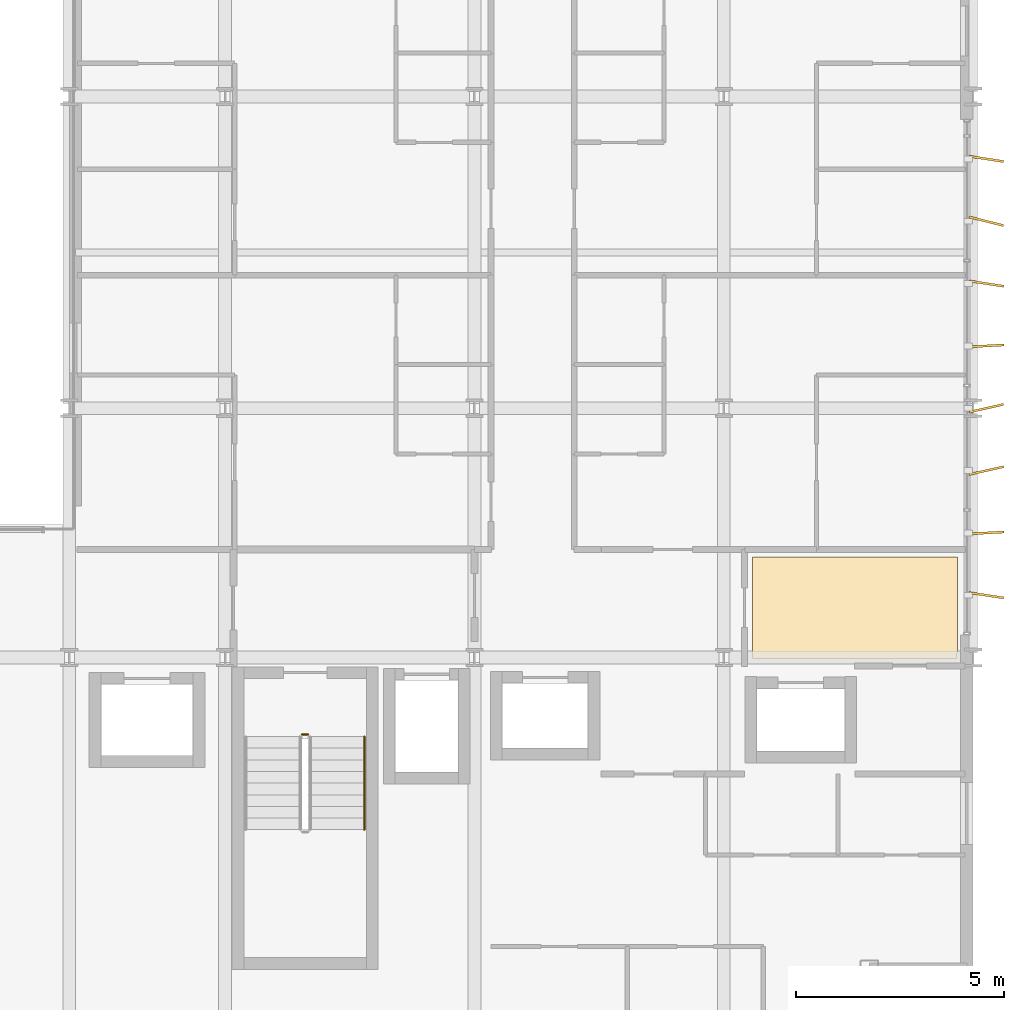
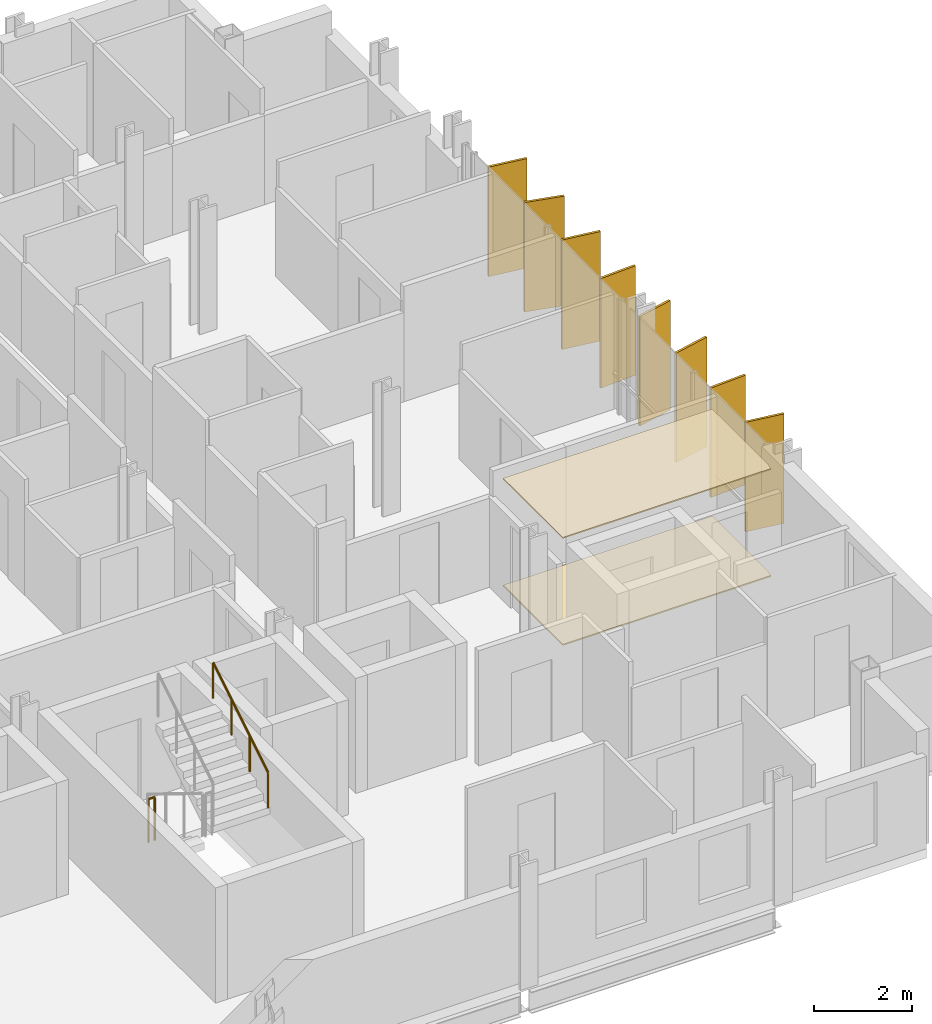
# One storey, part 38 of 39: 8 shading devices, 2 coverings, 2 railings.
"""IFC4 building model written with IfcOpenShell, lengths in metres."""

from ifc_helpers import new_model, si_unit, direction, frame, origin, origin_2d, place, context, subcontext, project, spatial, polyline, rectangle, circle, outline, extrude, material, layer, layer_set, type_object, element, save


model = new_model("IFC4")

# Units and contexts
model_context = context("Model", 3, precision=1e-05, world=origin(), true_north=direction((0.0, 1.0)))
body_context = subcontext(model_context, "Body", "Model", "MODEL_VIEW")
ifc_project = project(units=[si_unit("LENGTHUNIT", "METRE"), si_unit("AREAUNIT", "SQUARE_METRE"), si_unit("VOLUMEUNIT", "CUBIC_METRE"), si_unit("PLANEANGLEUNIT", "RADIAN"), si_unit("MASSUNIT", "GRAM", prefix="KILO")], contexts=[model_context])

# Site, building, storey
site_placement = place(None, origin())
site = spatial("IfcSite", under=ifc_project, at=site_placement, CompositionType="ELEMENT")
building_placement = place(site_placement, origin())
building = spatial("IfcBuilding", under=site, at=building_placement, Name="Brevholm Reach", CompositionType="ELEMENT")
storey_placement = place(building_placement, frame((0.0, 0.0, 83.800048828125)))
storey = spatial("IfcBuildingStorey", under=building, at=storey_placement, Name="L24", CompositionType="ELEMENT", Elevation=83.800048828125)

# Coverings
ifc_material_1 = material(Name="Moisture-Resistant Skimmed Gypsum Plasterboard Ceiling", Category="gypsum")
ifc_layer_1 = layer(ifc_material_1, 0.030029296875)
ifc_layer_set_1 = layer_set([ifc_layer_1], Name="Moisture-Resistant Skimmed Gypsum Plasterboard Ceiling")
covering_type_1 = type_object("IfcCoveringType", Name="COV-CLG-GYP", PredefinedType="CEILING", material=ifc_layer_set_1)
covering_1_placement = place(storey_placement, frame((0.0, 0.0, 2.669921875)))
element("IfcCovering", 1, at=covering_1_placement, inside=storey, type_object=covering_type_1, Name="L24 Suspended Ceiling L24-32", PredefinedType="CEILING", context=body_context, shape_type="SweptSolid", body=[
    extrude(outline(polyline([(59.6201171875, 12.419921875), (59.6201171875, 10.123779296875), (59.6171875, 10.1162109375), (59.607666015625, 10.077880859375), (59.601806640625, 10.039306640625), (59.60009765625, 10.0), (59.60107421875, 9.97998046875), (54.68408203125, 9.97998046875), (54.68408203125, 12.419921875), (59.6201171875, 12.419921875)])), origin(), (0.0, 0.0, 1.0), 0.030029296875),
])
ifc_material_2 = material(Name="Honed Portland-Aggregate Resin Terrazzo Flooring", Category="concrete")
ifc_layer_2 = layer(ifc_material_2, 0.031982421875)
ifc_layer_set_2 = layer_set([ifc_layer_2], Name="Honed Portland-Aggregate Resin Terrazzo Flooring")
covering_type_2 = type_object("IfcCoveringType", Name="COV-FLR-TRZ", PredefinedType="FLOORING", material=ifc_layer_set_2)
covering_2_placement = place(storey_placement, origin())
element("IfcCovering", 2, at=covering_2_placement, inside=storey, type_object=covering_type_2, Name="L24 Floor Finish L24-32", PredefinedType="FLOORING", context=body_context, shape_type="SweptSolid", body=[
    extrude(outline(polyline([(59.6201171875, 12.419921875), (59.6201171875, 10.123779296875), (59.6171875, 10.1162109375), (59.607666015625, 10.077880859375), (59.601806640625, 10.039306640625), (59.60009765625, 10.0), (59.60107421875, 9.97998046875), (54.68408203125, 9.97998046875), (54.68408203125, 12.419921875), (59.6201171875, 12.419921875)])), origin(), (0.0, 0.0, 1.0), 0.031982421875),
])

# Railings
ifc_material_3 = material(Name="Brushed Stainless Steel EN 1.4401 Continuous Handrail", Category="steel")
railing_type_1 = type_object("IfcRailingType", Name="RAL-HND-950", PredefinedType="HANDRAIL", material=ifc_material_3)
railing_1_placement = place(storey_placement, frame((45.35009765625, 5.860107421875, 1.72216796875)))
element("IfcRailing", 3, at=railing_1_placement, inside=storey, type_object=railing_type_1, Name="L24 ST-2 stair handrail 2", PredefinedType="HANDRAIL", context=body_context, shape_type="SweptSolid", body=[
    extrude(circle(Radius=0.02392578125, at=origin_2d()), frame((0.0, 0.0, 0.8857421875), z_axis=(0.0, 0.85178898068, 0.523885037382), x_axis=(-1.0, 0.0, 0.0)), (0.0, 0.0, 1.0), 2.629638671875),
    extrude(circle(Radius=0.02099609375, at=origin_2d()), origin(), (0.0, 0.0, 1.0), 0.86181640625),
    extrude(circle(Radius=0.02099609375, at=origin_2d()), frame((0.0, 0.74658203125, 0.459228515625)), (0.0, 0.0, 1.0), 0.86181640625),
    extrude(circle(Radius=0.02099609375, at=origin_2d()), frame((0.0, 1.493408203125, 0.91845703125)), (0.0, 0.0, 1.0), 0.86181640625),
    extrude(circle(Radius=0.02099609375, at=origin_2d()), frame((0.0, 2.239990234375, 1.377685546875)), (0.0, 0.0, 1.0), 0.86181640625),
])
ifc_material_4 = material(Name="Painted Tubular Galvanised Steel S275JR Stair Guard", Category="steel")
railing_type_2 = type_object("IfcRailingType", Name="RAL-STG-1120", PredefinedType="BALUSTRADE", material=ifc_material_4)
railing_2_placement = place(storey_placement, frame((43.85009765625, 8.14990234375, 0.0)))
element("IfcRailing", 4, at=railing_2_placement, inside=storey, type_object=railing_type_2, Name="L24 ST-2 stair guard 4", PredefinedType="BALUSTRADE", context=body_context, shape_type="SweptSolid", body=[
    extrude(circle(Radius=0.02392578125, at=origin_2d()), frame((0.0, 0.0, 1.076171875), z_axis=(1.0, 0.0, 0.0), x_axis=(0.0, 1.0, 0.0)), (0.0, 0.0, 1.0), 0.14990234375),
    extrude(circle(Radius=0.02099609375, at=origin_2d()), origin(), (0.0, 0.0, 1.0), 1.052001953125),
    extrude(circle(Radius=0.02099609375, at=origin_2d()), frame((0.14990234375, 0.0, 0.0)), (0.0, 0.0, 1.0), 1.052001953125),
])

# Shading devices
ifc_material_5 = material(Name="Perforated Champagne-Bronze Anodised Aluminium", Category="aluminium")
ifc_layer_3 = layer(ifc_material_5, 0.054931640625)
ifc_layer_set_3 = layer_set([ifc_layer_3], Name="Perforated Champagne-Bronze Anodised Aluminium")
shading_device_type = type_object("IfcShadingDeviceType", Name="SHD-FIN-850", PredefinedType="USERDEFINED", material=ifc_layer_set_3)
for number, where, z_axis, x_axis, name in (
    (5, (60.31494140625, 11.5, 0.070068359375), (0.0, 0.0, 1.0), (0.988372128275, -0.152054385169, 0.0), "L24 Perforated Solar Screen Fin 1"),
    (6, (60.31494140625, 13.0, 0.070068359375), (0.0, 0.0, 1.0), (0.998542327971, 0.053974246173, 0.0), "L24 Perforated Solar Screen Fin 2"),
    (7, (60.31494140625, 14.5, 0.070068359375), (0.0, 0.0, 1.0), (0.975901530289, 0.218211372708, 0.0), "L24 Perforated Solar Screen Fin 3"),
    (8, (60.31494140625, 16.0, 0.070068359375), (0.0, 0.0, 1.0), (0.975829115001, 0.218534981907, 0.0), "L24 Perforated Solar Screen Fin 4"),
    (9, (60.31494140625, 17.5, 0.070068359375), (0.0, 0.0, 1.0), (0.998501539549, 0.05472362851, 0.0), "L24 Perforated Solar Screen Fin 5"),
    (10, (60.31494140625, 19.0, 0.070068359375), (0.0, 0.0, 1.0), (0.988462185137, -0.151467846604, 0.0), "L24 Perforated Solar Screen Fin 6"),
    (11, (60.31494140625, 20.5, 0.070068359375), (0.0, 0.0, 1.0), (0.970295726276, -0.2419218956, 0.0), "L24 Perforated Solar Screen Fin 7"),
    (12, (60.31494140625, 22.0, 0.070068359375), (0.0, 0.0, 1.0), (0.988372128275, -0.152054385169, 0.0), "L24 Perforated Solar Screen Fin 8"),
):
    element("IfcShadingDevice", number, at=place(storey_placement, frame(where, z_axis=z_axis, x_axis=x_axis)), inside=storey, type_object=shading_device_type, Name=name, ObjectType="SCREEN", PredefinedType="USERDEFINED", context=body_context, shape_type="SweptSolid", body=[
        extrude(rectangle(XDim=0.85009765625, YDim=0.054931640625, at=origin_2d()), origin(), (0.0, 0.0, 1.0), 2.72998046875),
    ])

save(model, "model.ifc")
